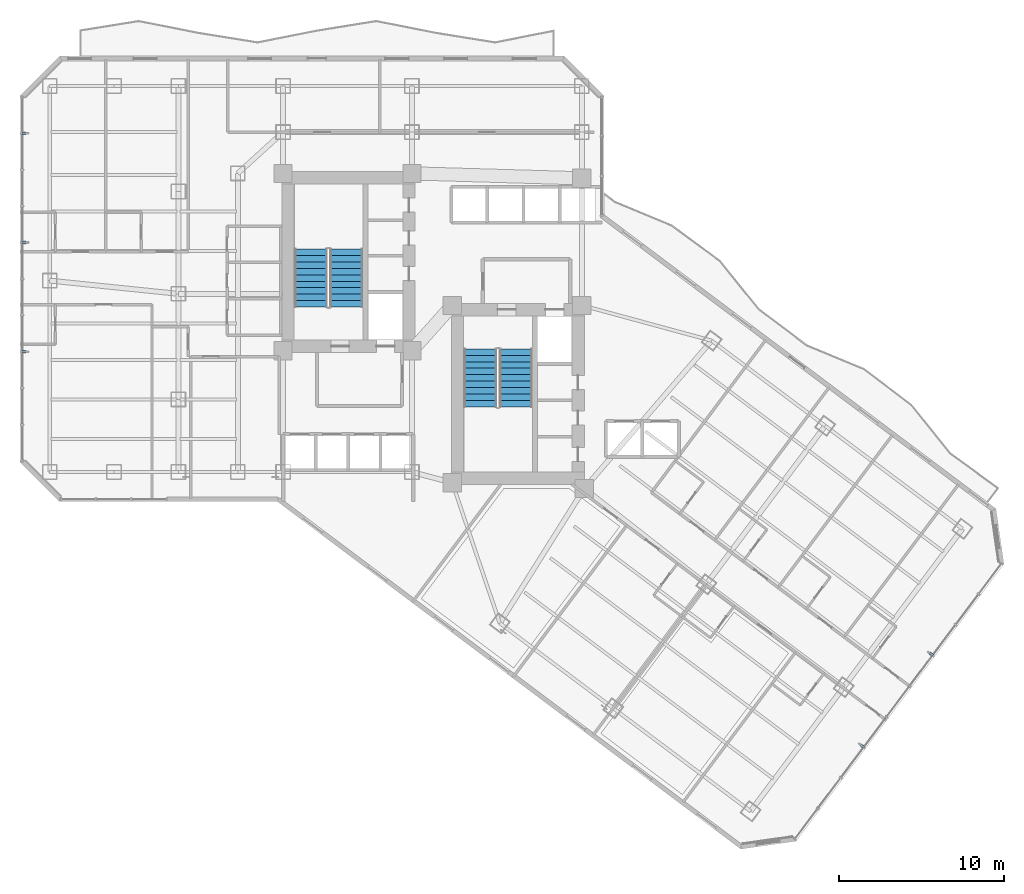
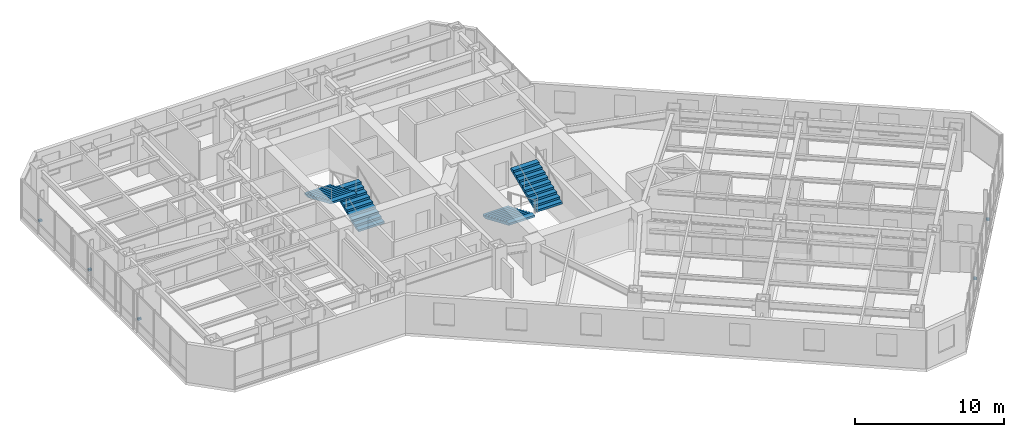
# One storey, part 26 of 31: 5 discrete accessories, 4 stair flights, 2 elements without a shape of their own.
"""IFC4 building model written with IfcOpenShell, lengths in metres."""

import ifcopenshell
import ifcopenshell.guid

model = None  # the IFC model being written
_history = None  # IfcOwnerHistory: only IFC2X3 demands one
_inside = {}  # id of a spatial element -> (the spatial element, [elements in it])
_under = {}  # id of a project, library or spatial element -> (it, [spatial elements below it])
_declared = {}  # id of a project -> (the project, [libraries it declares])
_typed = {}  # id of a type object -> (the type object, [elements of that type])
_made_of = {}  # id of a material, layer set ... -> (it, [elements and type objects made of it])


def new_model(schema):
    """Start an empty IFC model of exactly this schema.

    Asked for "IFC4X3", IfcOpenShell would pick the latest addendum, in which some entities
    have other attributes; the version numbers below select the first issue.
    IFC2X3 requires an IfcOwnerHistory on every rooted entity: one is made here for all.
    """
    global model, _history
    if schema == "IFC4X3":
        model = ifcopenshell.file(schema_version=(4, 3, 0, 0))
    else:
        model = ifcopenshell.file(schema=schema)
    _inside.clear()
    _under.clear()
    _declared.clear()
    _typed.clear()
    _made_of.clear()
    _history = None
    if model.schema == "IFC2X3":
        org = make("IfcOrganization", Name="unknown")
        user = make(
            "IfcPersonAndOrganization",
            ThePerson=make("IfcPerson", FamilyName="unknown"),
            TheOrganization=org,
        )
        app = make(
            "IfcApplication",
            ApplicationDeveloper=org,
            Version="unknown",
            ApplicationFullName="unknown",
            ApplicationIdentifier="unknown",
        )
        _history = make(
            "IfcOwnerHistory",
            OwningUser=user,
            OwningApplication=app,
            ChangeAction="ADDED",
            CreationDate=0,
        )
    return model


def make(cls, **values):
    """One entity of the class cls with the attributes given. An attribute that is None is left unset."""
    return model.create_entity(
        cls, **{name: value for name, value in values.items() if value is not None}
    )


def rooted(cls, **values):
    """An entity with a GlobalId (a new one), such as an element, a storey or a relation."""
    return make(cls, GlobalId=ifcopenshell.guid.new(), OwnerHistory=_history, **values)


def si_unit(unit_type, name, prefix=None):
    """IfcSIUnit, for example si_unit("LENGTHUNIT", "METRE", prefix="MILLI")."""
    return make("IfcSIUnit", UnitType=unit_type, Prefix=prefix, Name=name)


def assignment(units):
    """IfcUnitAssignment: the units of a project."""
    return None if units is None else make("IfcUnitAssignment", Units=units)


def point(xyz):
    """IfcCartesianPoint."""
    return None if xyz is None else make("IfcCartesianPoint", Coordinates=xyz)


def direction(xyz):
    """IfcDirection."""
    return None if xyz is None else make("IfcDirection", DirectionRatios=xyz)


def frame(location, z_axis=None, x_axis=None):
    """IfcAxis2Placement3D, a coordinate frame: its origin and axes. An axis left out is left unset."""
    return make(
        "IfcAxis2Placement3D",
        Location=point(location),
        Axis=direction(z_axis),
        RefDirection=direction(x_axis),
    )


def frame_2d(location, x_axis=None):
    """IfcAxis2Placement2D, a coordinate frame in the plane: its origin and x axis."""
    return make(
        "IfcAxis2Placement2D", Location=point(location), RefDirection=direction(x_axis)
    )


def origin():
    """The frame at (0, 0, 0) with its axes left unset."""
    return frame((0.0, 0.0, 0.0))


def origin_2d():
    """The frame at (0, 0) in the plane with its x axis left unset."""
    return frame_2d((0.0, 0.0))


def place(relative_to, where):
    """IfcLocalPlacement: puts the frame where relative to a parent placement (None: the world)."""
    return make(
        "IfcLocalPlacement", PlacementRelTo=relative_to, RelativePlacement=where
    )


def context(
    kind, dimensions, precision=None, world=None, true_north=None, identifier=None
):
    """IfcGeometricRepresentationContext, for example the 3D "Model" context."""
    return make(
        "IfcGeometricRepresentationContext",
        ContextIdentifier=identifier,
        ContextType=kind,
        CoordinateSpaceDimension=dimensions,
        Precision=precision,
        WorldCoordinateSystem=world,
        TrueNorth=true_north,
    )


def subcontext(parent, identifier, kind, view, scale=None):
    """IfcGeometricRepresentationSubContext, for example "Body" below "Model"."""
    return make(
        "IfcGeometricRepresentationSubContext",
        ContextIdentifier=identifier,
        ContextType=kind,
        ParentContext=parent,
        TargetScale=scale,
        TargetView=view,
    )


def project(units=None, contexts=None):
    """IfcProject with its units and contexts."""
    return rooted(
        "IfcProject",
        Name="project",
        RepresentationContexts=contexts,
        UnitsInContext=assignment(units),
    )


def spatial(cls, under=None, at=None, **own):
    """A site, building, storey or space (cls), placed at a placement, below another one or the project."""
    s = rooted(cls, ObjectPlacement=at, **own)
    if under is not None:
        _under.setdefault(under.id(), (under, []))[1].append(s)
    return s


def polyline(points):
    """IfcPolyline through the points."""
    return make("IfcPolyline", Points=[point(p) for p in points])


def profile(cls, at=None, kind="AREA", **sizes):
    """A parametric profile (cls). Its sizes go by their IFC names, for example OverallWidth=200.0."""
    return make(cls, ProfileType=kind, Position=at, **sizes)


def rectangle(**sizes):
    """IfcRectangleProfileDef."""
    return profile("IfcRectangleProfileDef", **sizes)


def outline(outer, holes=None, kind="AREA"):
    """IfcArbitraryClosedProfileDef: a profile drawn as a closed curve; with holes, ...WithVoids."""
    if holes is None:
        return make("IfcArbitraryClosedProfileDef", ProfileType=kind, OuterCurve=outer)
    return make(
        "IfcArbitraryProfileDefWithVoids",
        ProfileType=kind,
        OuterCurve=outer,
        InnerCurves=holes,
    )


def extrude(swept, where, along, depth):
    """IfcExtrudedAreaSolid: the profile swept, set in the frame where, extruded along a direction by depth."""
    return make(
        "IfcExtrudedAreaSolid",
        SweptArea=swept,
        Position=where,
        ExtrudedDirection=direction(along),
        Depth=depth,
    )


def shape(context_of_items, identifier, shape_type, items):
    """IfcShapeRepresentation: the items that make up one representation, for example the "Body"."""
    return make(
        "IfcShapeRepresentation",
        ContextOfItems=context_of_items,
        RepresentationIdentifier=identifier,
        RepresentationType=shape_type,
        Items=items,
    )


def material(Name=None, Category=None):
    """IfcMaterial."""
    return make("IfcMaterial", Name=Name, Category=Category)


def made_of(thing, what):
    """Note that an element or type object is made of a material, layer set ...; save() writes the relation."""
    if what is not None:
        _made_of.setdefault(what.id(), (what, []))[1].append(thing)
    return thing


def type_object(cls, material=None, **own):
    """A type object (cls), such as IfcWallType, which elements share."""
    return made_of(rooted(cls, **own), material)


def element(
    cls,
    number,
    at=None,
    inside=None,
    cuts=None,
    type_object=None,
    material=None,
    context=None,
    identifier="Body",
    shape_type=None,
    held_by="IfcProductDefinitionShape",
    body=None,
    shapes=None,
    **own,
):
    """One element of the class cls, such as IfcWall. Its Tag is "e" and its number.

    at: its placement. inside: the storey or other place that contains it. cuts: it is an
    opening in that element (IfcRelVoidsElement). A single representation is given by context,
    identifier, shape_type and body (its items); several are given by shapes. held_by: the class
    of the entity that holds the representations. save() writes the other relations.
    """
    e = rooted(cls, Tag="e%d" % number, ObjectPlacement=at, **own)
    if body is not None:
        shapes = [shape(context, identifier, shape_type, body)]
    if shapes is not None:
        e.Representation = make(held_by, Representations=shapes)
    if inside is not None:
        _inside.setdefault(inside.id(), (inside, []))[1].append(e)
    if cuts is not None:
        rooted(
            "IfcRelVoidsElement", RelatingBuildingElement=cuts, RelatedOpeningElement=e
        )
    if type_object is not None:
        _typed.setdefault(type_object.id(), (type_object, []))[1].append(e)
    return made_of(e, material)


def aggregate(whole, parts):
    """IfcRelAggregates: a whole, such as a stair, and the parts it consists of."""
    return rooted("IfcRelAggregates", RelatingObject=whole, RelatedObjects=parts)


def save(model, path):
    """Write the relations noted so far, then the file.

    IfcRelAggregates (storeys below a building ...), IfcRelContainedInSpatialStructure (elements
    in a storey), IfcRelDefinesByType, IfcRelAssociatesMaterial and IfcRelDeclares: one each for
    every whole, place, type object, material and project.
    """
    for whole, parts in _under.values():
        aggregate(whole, parts)
    for where, things in _inside.values():
        rooted(
            "IfcRelContainedInSpatialStructure",
            RelatedElements=things,
            RelatingStructure=where,
        )
    for kind, things in _typed.values():
        rooted("IfcRelDefinesByType", RelatedObjects=things, RelatingType=kind)
    for what, things in _made_of.values():
        rooted("IfcRelAssociatesMaterial", RelatedObjects=things, RelatingMaterial=what)
    for by, libraries in _declared.values():
        rooted("IfcRelDeclares", RelatingContext=by, RelatedDefinitions=libraries)
    model.write(path)


model = new_model("IFC4")

# Units and contexts
model_context = context("Model", 3, precision=1e-05, world=origin(), true_north=direction((0.0, 1.0)))
body_context = subcontext(model_context, "Body", "Model", "MODEL_VIEW")
ifc_project = project(units=[si_unit("LENGTHUNIT", "METRE"), si_unit("AREAUNIT", "SQUARE_METRE"), si_unit("VOLUMEUNIT", "CUBIC_METRE"), si_unit("PLANEANGLEUNIT", "RADIAN"), si_unit("MASSUNIT", "GRAM", prefix="KILO")], contexts=[model_context])

# Site, building, storey
site_placement = place(None, origin())
site = spatial("IfcSite", under=ifc_project, at=site_placement, CompositionType="ELEMENT")
building_placement = place(site_placement, origin())
building = spatial("IfcBuilding", under=site, at=building_placement, Name="Hatsunagi Terrace Concourse", CompositionType="ELEMENT")
storey_placement = place(building_placement, frame((0.0, 0.0, 81.300048828125)))
storey = spatial("IfcBuildingStorey", under=building, at=storey_placement, Name="L21", CompositionType="ELEMENT", Elevation=81.300048828125)

# Stair, stair flights
ifc_material_1 = material(Name="Concrete Fc42", Category="concrete")
stair_type = type_object("IfcStairType", Name="DoglegExitStair_Tower2000_20R_168", PredefinedType="HALF_TURN_STAIR", material=ifc_material_1)
stair_1_placement = place(storey_placement, origin())
stair_1 = element("IfcStair", 1, at=stair_1_placement, inside=storey, type_object=stair_type, Name="L21 Core A Protected Exit Stair ST-A", PredefinedType="HALF_TURN_STAIR")
ifc_material_2 = material(Name="Concrete Fc42", Category="concrete")
stair_flight_type = type_object("IfcStairFlightType", Name="DoglegStairFlight_Tower2000_20R_168", PredefinedType="STRAIGHT", material=ifc_material_2)
stair_flight_1_placement = place(storey_placement, frame((29.3798828125, 35.199951171875, 0.0), z_axis=(0.0, 0.0, 1.0), x_axis=(0.0, 1.0, 0.0)))
stair_flight_1 = element("IfcStairFlight", 2, at=stair_flight_1_placement, type_object=stair_flight_type, Name="ST-A flight 1", NumberOfRisers=10, NumberOfTreads=9, PredefinedType="STRAIGHT", RiserHeight=0.1675, TreadLength=0.39, context=body_context, shape_type="SweptSolid", body=[
    extrude(outline(polyline([(0.0, 0.0), (0.0, 0.16748046875), (0.389892578125, 0.16748046875), (0.389892578125, 0.3349609375), (0.780029296875, 0.3349609375), (0.780029296875, 0.50244140625), (1.169921875, 0.50244140625), (1.169921875, 0.669921875), (1.56005859375, 0.669921875), (1.56005859375, 0.83740234375), (1.949951171875, 0.83740234375), (1.949951171875, 1.0048828125), (2.340087890625, 1.0048828125), (2.340087890625, 1.172607421875), (2.72998046875, 1.172607421875), (2.72998046875, 1.340087890625), (3.1201171875, 1.340087890625), (3.1201171875, 1.507568359375), (3.510009765625, 1.507568359375), (3.510009765625, 1.675048828125), (3.510009765625, 1.34423828125), (0.3798828125, 0.0), (0.0, 0.0)])), frame((0.0, 1.0, 0.0), z_axis=(0.0, -1.0, 0.0), x_axis=(1.0, 0.0, 0.0)), (0.0, 0.0, 1.0), 2.0),
])
stair_flight_2_placement = place(storey_placement, frame((27.22998046875, 38.7099609375, 1.675048828125), z_axis=(0.0, 0.0, 1.0), x_axis=(0.0, -1.0, 0.0)))
stair_flight_2 = element("IfcStairFlight", 3, at=stair_flight_2_placement, type_object=stair_flight_type, Name="ST-A flight 2", NumberOfRisers=10, NumberOfTreads=9, PredefinedType="STRAIGHT", RiserHeight=0.1675, TreadLength=0.39, context=body_context, shape_type="SweptSolid", body=[
    extrude(outline(polyline([(0.0, 0.0), (0.0, 0.16748046875), (0.389892578125, 0.16748046875), (0.389892578125, 0.3349609375), (0.780029296875, 0.3349609375), (0.780029296875, 0.50244140625), (1.169921875, 0.50244140625), (1.169921875, 0.669921875), (1.56005859375, 0.669921875), (1.56005859375, 0.83740234375), (1.949951171875, 0.83740234375), (1.949951171875, 1.0048828125), (2.340087890625, 1.0048828125), (2.340087890625, 1.172607421875), (2.72998046875, 1.172607421875), (2.72998046875, 1.340087890625), (3.1201171875, 1.340087890625), (3.1201171875, 1.507568359375), (3.510009765625, 1.507568359375), (3.510009765625, 1.675048828125), (3.510009765625, 1.34423828125), (0.3798828125, 0.0), (0.0, 0.0)])), frame((0.0, 1.0, 0.0), z_axis=(0.0, -1.0, 0.0), x_axis=(1.0, 0.0, 0.0)), (0.0, 0.0, 1.0), 2.0),
])
aggregate(stair_1, [stair_flight_1, stair_flight_2])

stair_2_placement = place(storey_placement, origin())
stair_2 = element("IfcStair", 4, at=stair_2_placement, inside=storey, type_object=stair_type, Name="L21 Core B Protected Exit Stair ST-B", PredefinedType="HALF_TURN_STAIR")
stair_flight_3_placement = place(storey_placement, frame((37.5, 32.659912109375, 0.0), z_axis=(0.0, 0.0, 1.0), x_axis=(0.0, -1.0, 0.0)))
stair_flight_3 = element("IfcStairFlight", 5, at=stair_flight_3_placement, type_object=stair_flight_type, Name="ST-B flight 1", NumberOfRisers=10, NumberOfTreads=9, PredefinedType="STRAIGHT", RiserHeight=0.1675, TreadLength=0.39, context=body_context, shape_type="SweptSolid", body=[
    extrude(outline(polyline([(0.0, 0.0), (0.0, 0.16748046875), (0.389892578125, 0.16748046875), (0.389892578125, 0.3349609375), (0.780029296875, 0.3349609375), (0.780029296875, 0.50244140625), (1.169921875, 0.50244140625), (1.169921875, 0.669921875), (1.56005859375, 0.669921875), (1.56005859375, 0.83740234375), (1.949951171875, 0.83740234375), (1.949951171875, 1.0048828125), (2.340087890625, 1.0048828125), (2.340087890625, 1.172607421875), (2.72998046875, 1.172607421875), (2.72998046875, 1.340087890625), (3.1201171875, 1.340087890625), (3.1201171875, 1.507568359375), (3.510009765625, 1.507568359375), (3.510009765625, 1.675048828125), (3.510009765625, 1.34423828125), (0.3798828125, 0.0), (0.0, 0.0)])), frame((0.0, 1.0, 0.0), z_axis=(0.0, -1.0, 0.0), x_axis=(1.0, 0.0, 0.0)), (0.0, 0.0, 1.0), 2.0),
])
stair_flight_4_placement = place(storey_placement, frame((39.64990234375, 29.14990234375, 1.675048828125), z_axis=(0.0, 0.0, 1.0), x_axis=(0.0, 1.0, 0.0)))
stair_flight_4 = element("IfcStairFlight", 6, at=stair_flight_4_placement, type_object=stair_flight_type, Name="ST-B flight 2", NumberOfRisers=10, NumberOfTreads=9, PredefinedType="STRAIGHT", RiserHeight=0.1675, TreadLength=0.39, context=body_context, shape_type="SweptSolid", body=[
    extrude(outline(polyline([(0.0, 0.0), (0.0, 0.16748046875), (0.389892578125, 0.16748046875), (0.389892578125, 0.3349609375), (0.780029296875, 0.3349609375), (0.780029296875, 0.50244140625), (1.169921875, 0.50244140625), (1.169921875, 0.669921875), (1.56005859375, 0.669921875), (1.56005859375, 0.83740234375), (1.949951171875, 0.83740234375), (1.949951171875, 1.0048828125), (2.340087890625, 1.0048828125), (2.340087890625, 1.172607421875), (2.72998046875, 1.172607421875), (2.72998046875, 1.340087890625), (3.1201171875, 1.340087890625), (3.1201171875, 1.507568359375), (3.510009765625, 1.507568359375), (3.510009765625, 1.675048828125), (3.510009765625, 1.34423828125), (0.3798828125, 0.0), (0.0, 0.0)])), frame((0.0, 1.0, 0.0), z_axis=(0.0, -1.0, 0.0), x_axis=(1.0, 0.0, 0.0)), (0.0, 0.0, 1.0), 2.0),
])
aggregate(stair_2, [stair_flight_3, stair_flight_4])

# Discrete accessories
ifc_material_3 = material(Name="Stainless Steel SUS316 Bracket", Category="steel")
discrete_accessory_type = type_object("IfcDiscreteAccessoryType", Name="FacadeScreenSupportBracket_SS", PredefinedType="BRACKET", material=ifc_material_3)
for number, where, z_axis, x_axis, name in (
    (7, (64.827880859375, 14.155029296875, 0.97021484375), (0.0, 0.0, 1.0), (-0.599969314634, -0.800023013105, 0.0), "Terracotta Screen Bracket BRK-01"),
    (8, (60.652099609375, 8.5849609375, 0.97021484375), (0.0, 0.0, 1.0), (-0.599969314634, -0.800023013105, 0.0), "Terracotta Screen Bracket BRK-01"),
    (9, (9.85009765625, 32.48291015625, 0.97021484375), (0.0, 0.0, 1.0), (0.0, 1.0, 0.0), "Terracotta Screen Bracket BRK-01"),
    (10, (9.85009765625, 39.10791015625, 0.97021484375), (0.0, 0.0, 1.0), (0.0, 1.0, 0.0), "Terracotta Screen Bracket BRK-01"),
    (11, (9.85009765625, 45.73388671875, 0.97021484375), (0.0, 0.0, 1.0), (0.0, 1.0, 0.0), "Terracotta Screen Bracket BRK-01"),
):
    element("IfcDiscreteAccessory", number, at=place(storey_placement, frame(where, z_axis=z_axis, x_axis=x_axis)), inside=storey, type_object=discrete_accessory_type, Name=name, PredefinedType="BRACKET", context=body_context, shape_type="SweptSolid", body=[
        extrude(rectangle(XDim=0.159912109375, YDim=0.239990234375, at=origin_2d()), origin(), (0.0, 0.0, 1.0), 0.159912109375),
    ])

save(model, "model.ifc")
